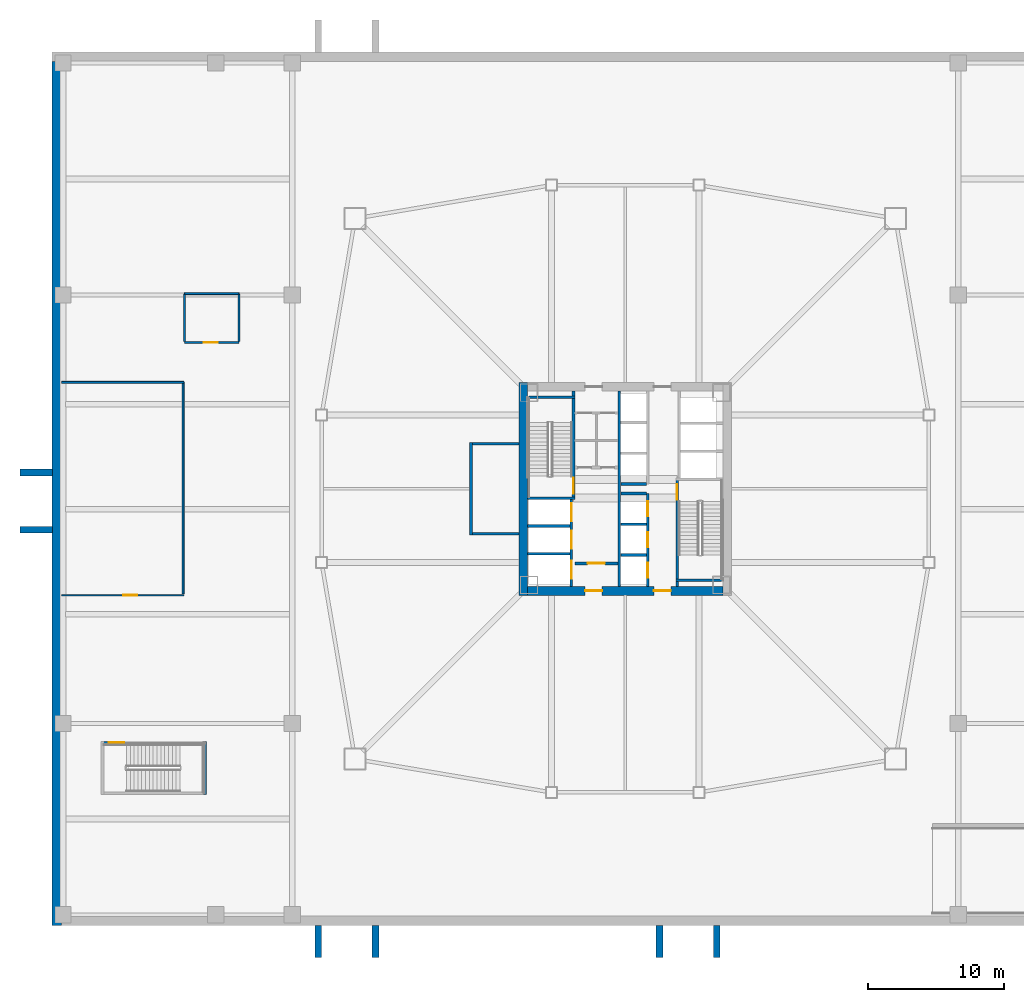
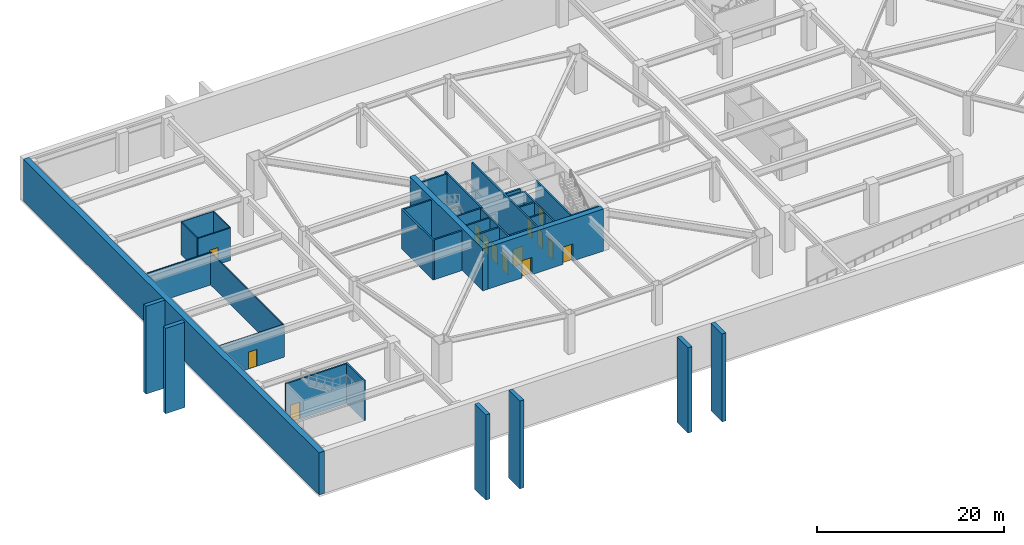
# One storey, part 7 of 17: 36 walls, 14 doors, 14 openings.
"""IFC4 building model written with IfcOpenShell, lengths in metres."""

from ifc_helpers import new_model, si_unit, direction, frame, frame_2d, origin, place, context, subcontext, project, spatial, rectangle, extrude, material, layer, layer_set, type_object, element, fill, save


model = new_model("IFC4")

# Units and contexts
model_context = context("Model", 3, precision=1e-05, world=origin(), true_north=direction((0.0, 1.0)))
body_context = subcontext(model_context, "Body", "Model", "MODEL_VIEW")
ifc_project = project(units=[si_unit("LENGTHUNIT", "METRE"), si_unit("AREAUNIT", "SQUARE_METRE"), si_unit("VOLUMEUNIT", "CUBIC_METRE"), si_unit("PLANEANGLEUNIT", "RADIAN"), si_unit("MASSUNIT", "GRAM", prefix="KILO")], contexts=[model_context])

# Site, building, storey
site_placement = place(None, origin())
site = spatial("IfcSite", under=ifc_project, at=site_placement, CompositionType="ELEMENT")
building_placement = place(site_placement, origin())
building = spatial("IfcBuilding", under=site, at=building_placement, Name="Tashvorn Skyway Center", CompositionType="ELEMENT")
storey_placement = place(building_placement, frame((0.0, 0.0, -5.5)))
storey = spatial("IfcBuildingStorey", under=building, at=storey_placement, Name="B1", CompositionType="ELEMENT", Elevation=-5.5)

# Wall
ifc_material_1 = material(Name="Concrete C60/75", Category="concrete")
ifc_layer_1 = layer(ifc_material_1, 0.64990234375)
ifc_layer_set_1 = layer_set([ifc_layer_1], Name="Concrete C60/75")
wall_type_1 = type_object("IfcWallType", Name="WALL-CORE-650", PredefinedType="SHEAR", material=ifc_layer_set_1)
wall_1_placement = place(storey_placement, frame((34.52490234375, 24.199951171875, 0.0), z_axis=(0.0, 0.0, 1.0), x_axis=(0.0, 1.0, 0.0)))
element("IfcWall", 1, at=wall_1_placement, inside=storey, type_object=wall_type_1, Name="Tower 1 B1 West Core Shear Wall", PredefinedType="SHEAR", context=body_context, shape_type="SweptSolid", body=[
    extrude(rectangle(XDim=15.60009765625, YDim=0.64990234375, at=frame_2d((7.800048828125, 0.0))), origin(), (0.0, 0.0, 1.0), 5.5),
])

# Wall, openings, doors
wall_2_placement = place(storey_placement, frame((49.14990234375, 24.52490234375, 0.0), z_axis=(0.0, 0.0, 1.0), x_axis=(-1.0, 0.0, 0.0)))
wall_2 = element("IfcWall", 2, at=wall_2_placement, inside=storey, type_object=wall_type_1, Name="Tower 1 B1 South Core Shear Wall", PredefinedType="SHEAR", context=body_context, shape_type="SweptSolid", body=[
    extrude(rectangle(XDim=14.2998046875, YDim=0.64990234375, at=frame_2d((7.14990234375, 0.0))), origin(), (0.0, 0.0, 1.0), 5.5),
])
opening_1_placement = place(wall_2_placement, frame((8.85009765625, 0.0, 0.0)))
opening_1 = element("IfcOpeningElement", 3, at=opening_1_placement, cuts=wall_2, Name="Opening D-FFL-1250", PredefinedType="OPENING", context=body_context, shape_type="SweptSolid", body=[
    extrude(rectangle(XDim=1.25, YDim=2.25, at=frame_2d((0.625, 1.125))), frame((0.0, 0.3349609375, 0.0), z_axis=(0.0, -1.0, 0.0), x_axis=(1.0, 0.0, 0.0)), (0.0, 0.0, 1.0), 0.669921875),
])
opening_2_placement = place(wall_2_placement, frame((3.800048828125, 0.0, 0.0)))
opening_2 = element("IfcOpeningElement", 4, at=opening_2_placement, cuts=wall_2, Name="Opening D-FFL-1250", PredefinedType="OPENING", context=body_context, shape_type="SweptSolid", body=[
    extrude(rectangle(XDim=1.25, YDim=2.25, at=frame_2d((0.625, 1.125))), frame((0.0, 0.3349609375, 0.0), z_axis=(0.0, -1.0, 0.0), x_axis=(1.0, 0.0, 0.0)), (0.0, 0.0, 1.0), 0.669921875),
])
ifc_material_2 = material(Name="Hollow galvanized steel fire door assembly", Category="steel")
door_type_1 = type_object("IfcDoorType", Name="DOOR-FFL-1250", OperationType="NOTDEFINED", PredefinedType="DOOR", material=ifc_material_2)
door_1_placement = place(opening_1_placement, origin())
door_1 = element("IfcDoor", 5, at=door_1_placement, inside=storey, type_object=door_type_1, Name="Tower 1 B1 Core South Firefighting Exit Door", OperationType="SINGLE_SWING_LEFT", OverallHeight=2.25, OverallWidth=1.25, PredefinedType="DOOR", context=body_context, shape_type="SweptSolid", body=[
    extrude(rectangle(XDim=1.25, YDim=2.25, at=frame_2d((0.625, 1.125))), frame((0.0, 0.02490234375, 0.0), z_axis=(0.0, -1.0, 0.0), x_axis=(1.0, 0.0, 0.0)), (0.0, 0.0, 1.0), 0.050048828125),
])
fill(opening_1, door_1)
door_2_placement = place(opening_2_placement, origin())
door_2 = element("IfcDoor", 6, at=door_2_placement, inside=storey, type_object=door_type_1, Name="Tower 1 B1 Core South Lift Lobby Door", OperationType="SINGLE_SWING_RIGHT", OverallHeight=2.25, OverallWidth=1.25, PredefinedType="DOOR", context=body_context, shape_type="SweptSolid", body=[
    extrude(rectangle(XDim=1.25, YDim=2.25, at=frame_2d((0.625, 1.125))), frame((0.0, 0.02490234375, 0.0), z_axis=(0.0, -1.0, 0.0), x_axis=(1.0, 0.0, 0.0)), (0.0, 0.0, 1.0), 0.050048828125),
])
fill(opening_2, door_2)

# Wall, opening, door
ifc_material_3 = material(Name="Concrete C40/50", Category="concrete")
ifc_layer_2 = layer(ifc_material_3, 0.219970703125)
ifc_layer_set_2 = layer_set([ifc_layer_2], Name="Concrete C40/50")
wall_type_2 = type_object("IfcWallType", Name="WALL-FFL-220", PredefinedType="SOLIDWALL", material=ifc_layer_set_2)
wall_3_placement = place(storey_placement, frame((38.300048828125, 26.5400390625, 0.0), z_axis=(0.0, 0.0, 1.0), x_axis=(1.0, 0.0, 0.0)))
wall_3 = element("IfcWall", 7, at=wall_3_placement, inside=storey, type_object=wall_type_2, Name="Tower 1 B1 Firefighting Lobby South Wall", PredefinedType="SOLIDWALL", context=body_context, shape_type="SweptSolid", body=[
    extrude(rectangle(XDim=3.14990234375, YDim=0.219970703125, at=frame_2d((1.574951171875, 0.0))), origin(), (0.0, 0.0, 1.0), 4.242919921875),
])
opening_3_placement = place(wall_3_placement, frame((0.949951171875, 0.0, 0.0)))
opening_3 = element("IfcOpeningElement", 8, at=opening_3_placement, cuts=wall_3, Name="Opening D-FFL-1250", PredefinedType="OPENING", context=body_context, shape_type="SweptSolid", body=[
    extrude(rectangle(XDim=1.25, YDim=2.25, at=frame_2d((0.625, 1.125))), frame((0.0, 0.119873046875, 0.0), z_axis=(0.0, -1.0, 0.0), x_axis=(1.0, 0.0, 0.0)), (0.0, 0.0, 1.0), 0.239990234375),
])
door_3_placement = place(opening_3_placement, origin())
door_3 = element("IfcDoor", 9, at=door_3_placement, inside=storey, type_object=door_type_1, Name="Tower 1 B1 Firefighting Lobby Egress Door", OperationType="SINGLE_SWING_LEFT", OverallHeight=2.25, OverallWidth=1.25, PredefinedType="DOOR", context=body_context, shape_type="SweptSolid", body=[
    extrude(rectangle(XDim=1.25, YDim=2.25, at=frame_2d((0.625, 1.125))), frame((0.0, 0.02490234375, 0.0), z_axis=(0.0, -1.0, 0.0), x_axis=(1.0, 0.0, 0.0)), (0.0, 0.0, 1.0), 0.050048828125),
])
fill(opening_3, door_3)

ifc_material_4 = material(Name="Gypsum board on cold-formed steel stud framing", Category="steel")
ifc_layer_3 = layer(ifc_material_4, 0.135009765625)
ifc_layer_set_3 = layer_set([ifc_layer_3], Name="Gypsum board on cold-formed steel stud framing")
wall_type_3 = type_object("IfcWallType", Name="WALL-PART-135", PredefinedType="PARTITIONING", material=ifc_layer_set_3)
wall_4_placement = place(storey_placement, frame((0.699951171875, 24.199951171875, 0.0), z_axis=(0.0, 0.0, 1.0), x_axis=(1.0, 0.0, 0.0)))
wall_4 = element("IfcWall", 10, at=wall_4_placement, inside=storey, type_object=wall_type_3, Name="B1 Bicycle Hub South Wall", PredefinedType="PARTITIONING", context=body_context, shape_type="SweptSolid", body=[
    extrude(rectangle(XDim=8.949951171875, YDim=0.135009765625, at=frame_2d((4.47509765625, 0.0))), origin(), (0.0, 0.0, 1.0), 4.242919921875),
])
opening_4_placement = place(wall_4_placement, frame((4.5, 0.0, 0.0)))
opening_4 = element("IfcOpeningElement", 11, at=opening_4_placement, cuts=wall_4, Name="Opening D-ACC-1050", PredefinedType="OPENING", context=body_context, shape_type="SweptSolid", body=[
    extrude(rectangle(XDim=1.050048828125, YDim=2.199951171875, at=frame_2d((0.52490234375, 1.10009765625))), frame((0.0, 0.077392578125, 0.0), z_axis=(0.0, -1.0, 0.0), x_axis=(1.0, 0.0, 0.0)), (0.0, 0.0, 1.0), 0.155029296875),
])
ifc_material_5 = material(Name="Solid-core architectural oak veneer door")
door_type_2 = type_object("IfcDoorType", Name="DOOR-ACC-1050", OperationType="NOTDEFINED", PredefinedType="DOOR", material=ifc_material_5)
door_4_placement = place(opening_4_placement, origin())
door_4 = element("IfcDoor", 12, at=door_4_placement, inside=storey, type_object=door_type_2, Name="B1 Bicycle Hub Door", OperationType="SINGLE_SWING_LEFT", OverallHeight=2.199951171875, OverallWidth=1.050048828125, PredefinedType="DOOR", context=body_context, shape_type="SweptSolid", body=[
    extrude(rectangle(XDim=1.050048828125, YDim=2.199951171875, at=frame_2d((0.52490234375, 1.10009765625))), frame((0.0, 0.02490234375, 0.0), z_axis=(0.0, -1.0, 0.0), x_axis=(1.0, 0.0, 0.0)), (0.0, 0.0, 1.0), 0.050048828125),
])
fill(opening_4, door_4)

# Walls
wall_5_placement = place(storey_placement, frame((9.60009765625, 24.300048828125, 0.0), z_axis=(0.0, 0.0, 1.0), x_axis=(0.0, 1.0, 0.0)))
element("IfcWall", 13, at=wall_5_placement, inside=storey, type_object=wall_type_3, Name="B1 Bicycle Hub East Wall", PredefinedType="PARTITIONING", context=body_context, shape_type="SweptSolid", body=[
    extrude(rectangle(XDim=15.5, YDim=0.135009765625, at=frame_2d((7.75, 0.0))), origin(), (0.0, 0.0, 1.0), 4.242919921875),
])
wall_6_placement = place(storey_placement, frame((0.699951171875, 39.800048828125, 0.0), z_axis=(0.0, 0.0, 1.0), x_axis=(1.0, 0.0, 0.0)))
element("IfcWall", 14, at=wall_6_placement, inside=storey, type_object=wall_type_3, Name="B1 Bicycle Hub North Wall", PredefinedType="PARTITIONING", context=body_context, shape_type="SweptSolid", body=[
    extrude(rectangle(XDim=8.949951171875, YDim=0.135009765625, at=frame_2d((4.47509765625, 0.0))), origin(), (0.0, 0.0, 1.0), 4.242919921875),
])

# Wall, opening, door
wall_7_placement = place(storey_placement, frame((9.699951171875, 42.719970703125, 0.0), z_axis=(0.0, 0.0, 1.0), x_axis=(1.0, 0.0, 0.0)))
wall_7 = element("IfcWall", 15, at=wall_7_placement, inside=storey, type_object=wall_type_3, Name="B1 Restroom South Wall", PredefinedType="PARTITIONING", context=body_context, shape_type="SweptSolid", body=[
    extrude(rectangle(XDim=4.0, YDim=0.135009765625, at=frame_2d((2.0, 0.0))), origin(), (0.0, 0.0, 1.0), 4.242919921875),
])
opening_5_placement = place(wall_7_placement, frame((1.39990234375, 0.0, 0.0)))
opening_5 = element("IfcOpeningElement", 16, at=opening_5_placement, cuts=wall_7, Name="Opening D-ACC-1050", PredefinedType="OPENING", context=body_context, shape_type="SweptSolid", body=[
    extrude(rectangle(XDim=1.050048828125, YDim=2.199951171875, at=frame_2d((0.52490234375, 1.10009765625))), frame((0.0, 0.077392578125, 0.0), z_axis=(0.0, -1.0, 0.0), x_axis=(1.0, 0.0, 0.0)), (0.0, 0.0, 1.0), 0.155029296875),
])
door_5_placement = place(opening_5_placement, origin())
door_5 = element("IfcDoor", 17, at=door_5_placement, inside=storey, type_object=door_type_2, Name="B1 Accessible Restroom Door", OperationType="SINGLE_SWING_RIGHT", OverallHeight=2.199951171875, OverallWidth=1.050048828125, PredefinedType="DOOR", context=body_context, shape_type="SweptSolid", body=[
    extrude(rectangle(XDim=1.050048828125, YDim=2.199951171875, at=frame_2d((0.52490234375, 1.10009765625))), frame((0.0, 0.02490234375, 0.0), z_axis=(0.0, -1.0, 0.0), x_axis=(1.0, 0.0, 0.0)), (0.0, 0.0, 1.0), 0.050048828125),
])
fill(opening_5, door_5)

# Walls
wall_8_placement = place(storey_placement, frame((9.699951171875, 46.300048828125, 0.0), z_axis=(0.0, 0.0, 1.0), x_axis=(1.0, 0.0, 0.0)))
element("IfcWall", 18, at=wall_8_placement, inside=storey, type_object=wall_type_3, Name="B1 Restroom North Wall", PredefinedType="PARTITIONING", context=body_context, shape_type="SweptSolid", body=[
    extrude(rectangle(XDim=4.0, YDim=0.135009765625, at=frame_2d((2.0, 0.0))), origin(), (0.0, 0.0, 1.0), 4.242919921875),
])
for number, where, z_axis, x_axis, name in (
    (19, (9.699951171875, 42.800048828125, 0.0), (0.0, 0.0, 1.0), (0.0, 1.0, 0.0), "B1 Restroom West Wall"),
    (20, (13.699951171875, 42.800048828125, 0.0), (0.0, 0.0, 1.0), (0.0, 1.0, 0.0), "B1 Restroom East Wall"),
):
    element("IfcWall", number, at=place(storey_placement, frame(where, z_axis=z_axis, x_axis=x_axis)), inside=storey, type_object=wall_type_3, Name=name, PredefinedType="PARTITIONING", context=body_context, shape_type="SweptSolid", body=[
        extrude(rectangle(XDim=3.449951171875, YDim=0.135009765625, at=frame_2d((1.72509765625, 0.0))), origin(), (0.0, 0.0, 1.0), 4.242919921875),
    ])
ifc_material_6 = material(Name="Concrete C50/60", Category="concrete")
ifc_layer_4 = layer(ifc_material_6, 0.5)
ifc_layer_set_4 = layer_set([ifc_layer_4], Name="Concrete C50/60")
wall_type_4 = type_object("IfcWallType", Name="WALL-RET-500", PredefinedType="SOLIDWALL", material=ifc_layer_set_4)
wall_9_placement = place(storey_placement, frame((19.5, -2.35009765625, -6.0), z_axis=(0.0, 0.0, 1.0), x_axis=(0.0, 1.0, 0.0)))
element("IfcWall", 21, at=wall_9_placement, inside=storey, type_object=wall_type_4, Name="Accessible Ramp S1 Concrete Abutment Wall 1", PredefinedType="SOLIDWALL", context=body_context, shape_type="SweptSolid", body=[
    extrude(rectangle(XDim=2.3701171875, YDim=0.5, at=frame_2d((1.18505859375, 0.0))), origin(), (0.0, 0.0, 1.0), 11.14990234375),
])
wall_10_placement = place(storey_placement, frame((23.699951171875, -2.35009765625, -6.0), z_axis=(0.0, 0.0, 1.0), x_axis=(0.0, 1.0, 0.0)))
element("IfcWall", 22, at=wall_10_placement, inside=storey, type_object=wall_type_4, Name="Accessible Ramp S1 Concrete Abutment Wall 2", PredefinedType="SOLIDWALL", context=body_context, shape_type="SweptSolid", body=[
    extrude(rectangle(XDim=2.3701171875, YDim=0.5, at=frame_2d((1.18505859375, 0.0))), origin(), (0.0, 0.0, 1.0), 11.47998046875),
])
wall_11_placement = place(storey_placement, frame((44.5, -2.35009765625, -6.0), z_axis=(0.0, 0.0, 1.0), x_axis=(0.0, 1.0, 0.0)))
element("IfcWall", 23, at=wall_11_placement, inside=storey, type_object=wall_type_4, Name="Accessible Ramp S2 Concrete Abutment Wall 1", PredefinedType="SOLIDWALL", context=body_context, shape_type="SweptSolid", body=[
    extrude(rectangle(XDim=2.3701171875, YDim=0.5, at=frame_2d((1.18505859375, 0.0))), origin(), (0.0, 0.0, 1.0), 11.14990234375),
])
wall_12_placement = place(storey_placement, frame((48.699951171875, -2.35009765625, -6.0), z_axis=(0.0, 0.0, 1.0), x_axis=(0.0, 1.0, 0.0)))
element("IfcWall", 24, at=wall_12_placement, inside=storey, type_object=wall_type_4, Name="Accessible Ramp S2 Concrete Abutment Wall 2", PredefinedType="SOLIDWALL", context=body_context, shape_type="SweptSolid", body=[
    extrude(rectangle(XDim=2.3701171875, YDim=0.5, at=frame_2d((1.18505859375, 0.0))), origin(), (0.0, 0.0, 1.0), 11.47998046875),
])
wall_13_placement = place(storey_placement, frame((-2.35009765625, 29.0, -6.0), z_axis=(0.0, 0.0, 1.0), x_axis=(1.0, 0.0, 0.0)))
element("IfcWall", 25, at=wall_13_placement, inside=storey, type_object=wall_type_4, Name="Accessible Ramp W1 Concrete Abutment Wall 1", PredefinedType="SOLIDWALL", context=body_context, shape_type="SweptSolid", body=[
    extrude(rectangle(XDim=2.3701171875, YDim=0.5, at=frame_2d((1.18505859375, 0.0))), origin(), (0.0, 0.0, 1.0), 11.14990234375),
])
wall_14_placement = place(storey_placement, frame((-2.35009765625, 33.199951171875, -6.0), z_axis=(0.0, 0.0, 1.0), x_axis=(1.0, 0.0, 0.0)))
element("IfcWall", 26, at=wall_14_placement, inside=storey, type_object=wall_type_4, Name="Accessible Ramp W1 Concrete Abutment Wall 2", PredefinedType="SOLIDWALL", context=body_context, shape_type="SweptSolid", body=[
    extrude(rectangle(XDim=2.3701171875, YDim=0.5, at=frame_2d((1.18505859375, 0.0))), origin(), (0.0, 0.0, 1.0), 11.47998046875),
])
ifc_layer_5 = layer(ifc_material_1, 0.699951171875)
ifc_layer_set_5 = layer_set([ifc_layer_5], Name="Concrete C60/75")
wall_type_5 = type_object("IfcWallType", Name="WALL-RET-700", PredefinedType="SOLIDWALL", material=ifc_layer_set_5)
wall_15_placement = place(storey_placement, frame((0.35009765625, 0.0, 0.0), z_axis=(0.0, 0.0, 1.0), x_axis=(0.0, 1.0, 0.0)))
element("IfcWall", 27, at=wall_15_placement, inside=storey, type_object=wall_type_5, Name="B1 Basement Retaining Wall W", PredefinedType="SOLIDWALL", context=body_context, shape_type="SweptSolid", body=[
    extrude(rectangle(XDim=63.300048828125, YDim=0.699951171875, at=frame_2d((31.64990234375, 0.0))), origin(), (0.0, 0.0, 1.0), 5.5),
])
ifc_layer_6 = layer(ifc_material_3, 0.199951171875)
ifc_layer_set_6 = layer_set([ifc_layer_6], Name="Concrete C40/50")
wall_type_6 = type_object("IfcWallType", Name="WALL-SHAFT-200", PredefinedType="SOLIDWALL", material=ifc_layer_set_6)
for number, where, z_axis, x_axis, name in (
    (28, (34.85009765625, 27.25, 0.0), (0.0, 0.0, 1.0), (1.0, 0.0, 0.0), "Tower 1 B1 FSAE Shaft Divider"),
    (29, (34.85009765625, 29.280029296875, 0.0), (0.0, 0.0, 1.0), (1.0, 0.0, 0.0), "Tower 1 B1 FSAE Shaft Divider"),
):
    element("IfcWall", number, at=place(storey_placement, frame(where, z_axis=z_axis, x_axis=x_axis)), inside=storey, type_object=wall_type_6, Name=name, PredefinedType="SOLIDWALL", context=body_context, shape_type="SweptSolid", body=[
        extrude(rectangle(XDim=3.099853515625, YDim=0.199951171875, at=frame_2d((1.5498046875, 0.0))), origin(), (0.0, 0.0, 1.0), 5.199951171875),
    ])

# Wall, openings, doors
wall_16_placement = place(storey_placement, frame((43.64990234375, 24.85009765625, 0.0), z_axis=(0.0, 0.0, 1.0), x_axis=(0.0, 1.0, 0.0)))
wall_16 = element("IfcWall", 30, at=wall_16_placement, inside=storey, type_object=wall_type_6, Name="Tower 1 B1 Low-Rise Core Wall", PredefinedType="SOLIDWALL", context=body_context, shape_type="SweptSolid", body=[
    extrude(rectangle(XDim=6.7998046875, YDim=0.199951171875, at=frame_2d((3.39990234375, 0.0))), origin(), (0.0, 0.0, 1.0), 5.199951171875),
])
opening_6_placement = place(wall_16_placement, frame((0.625, 0.0, 0.0)))
opening_6 = element("IfcOpeningElement", 31, at=opening_6_placement, cuts=wall_16, Name="Opening LD-LR-T1-1-B1", PredefinedType="OPENING", context=body_context, shape_type="SweptSolid", body=[
    extrude(rectangle(XDim=1.10009765625, YDim=2.199951171875, at=frame_2d((0.550048828125, 1.10009765625))), frame((0.0, 0.10986328125, 0.0), z_axis=(0.0, -1.0, 0.0), x_axis=(1.0, 0.0, 0.0)), (0.0, 0.0, 1.0), 0.219970703125),
])
opening_7_placement = place(wall_16_placement, frame((2.875, 0.0, 0.0)))
opening_7 = element("IfcOpeningElement", 32, at=opening_7_placement, cuts=wall_16, Name="Opening LD-LR-T1-2-B1", PredefinedType="OPENING", context=body_context, shape_type="SweptSolid", body=[
    extrude(rectangle(XDim=1.10009765625, YDim=2.199951171875, at=frame_2d((0.550048828125, 1.10009765625))), frame((0.0, 0.10986328125, 0.0), z_axis=(0.0, -1.0, 0.0), x_axis=(1.0, 0.0, 0.0)), (0.0, 0.0, 1.0), 0.219970703125),
])
opening_8_placement = place(wall_16_placement, frame((5.125, 0.0, 0.0)))
opening_8 = element("IfcOpeningElement", 33, at=opening_8_placement, cuts=wall_16, Name="Opening LD-LR-T1-3-B1", PredefinedType="OPENING", context=body_context, shape_type="SweptSolid", body=[
    extrude(rectangle(XDim=1.10009765625, YDim=2.199951171875, at=frame_2d((0.550048828125, 1.10009765625))), frame((0.0, 0.10986328125, 0.0), z_axis=(0.0, -1.0, 0.0), x_axis=(1.0, 0.0, 0.0)), (0.0, 0.0, 1.0), 0.219970703125),
])
ifc_material_7 = material(Name="Stainless steel landing door", Category="steel")
door_type_3 = type_object("IfcDoorType", Name="DOOR-LIFT-1100", OperationType="SLIDING_TO_LEFT", PredefinedType="DOOR", material=ifc_material_7)
door_6_placement = place(opening_6_placement, origin())
door_6 = element("IfcDoor", 34, at=door_6_placement, inside=storey, type_object=door_type_3, Name="Lift LR-T1-1 B1 Landing Door", OperationType="SLIDING_TO_LEFT", OverallHeight=2.199951171875, OverallWidth=1.10009765625, PredefinedType="DOOR", context=body_context, shape_type="SweptSolid", body=[
    extrude(rectangle(XDim=1.10009765625, YDim=2.199951171875, at=frame_2d((0.550048828125, 1.10009765625))), frame((0.0, 0.02490234375, 0.0), z_axis=(0.0, -1.0, 0.0), x_axis=(1.0, 0.0, 0.0)), (0.0, 0.0, 1.0), 0.050048828125),
])
fill(opening_6, door_6)
door_7_placement = place(opening_7_placement, origin())
door_7 = element("IfcDoor", 35, at=door_7_placement, inside=storey, type_object=door_type_3, Name="Lift LR-T1-2 B1 Landing Door", OperationType="SLIDING_TO_LEFT", OverallHeight=2.199951171875, OverallWidth=1.10009765625, PredefinedType="DOOR", context=body_context, shape_type="SweptSolid", body=[
    extrude(rectangle(XDim=1.10009765625, YDim=2.199951171875, at=frame_2d((0.550048828125, 1.10009765625))), frame((0.0, 0.02490234375, 0.0), z_axis=(0.0, -1.0, 0.0), x_axis=(1.0, 0.0, 0.0)), (0.0, 0.0, 1.0), 0.050048828125),
])
fill(opening_7, door_7)
door_8_placement = place(opening_8_placement, origin())
door_8 = element("IfcDoor", 36, at=door_8_placement, inside=storey, type_object=door_type_3, Name="Lift LR-T1-3 B1 Landing Door", OperationType="SLIDING_TO_LEFT", OverallHeight=2.199951171875, OverallWidth=1.10009765625, PredefinedType="DOOR", context=body_context, shape_type="SweptSolid", body=[
    extrude(rectangle(XDim=1.10009765625, YDim=2.199951171875, at=frame_2d((0.550048828125, 1.10009765625))), frame((0.0, 0.02490234375, 0.0), z_axis=(0.0, -1.0, 0.0), x_axis=(1.0, 0.0, 0.0)), (0.0, 0.0, 1.0), 0.050048828125),
])
fill(opening_8, door_8)

# Walls
for number, where, z_axis, x_axis, name in (
    (37, (41.669921875, 27.14990234375, 0.0), (0.0, 0.0, 1.0), (1.0, 0.0, 0.0), "Tower 1 B1 Low-Rise Shaft Divider"),
    (38, (41.669921875, 29.39990234375, 0.0), (0.0, 0.0, 1.0), (1.0, 0.0, 0.0), "Tower 1 B1 Low-Rise Shaft Divider"),
    (39, (41.669921875, 31.64990234375, 0.0), (0.0, 0.0, 1.0), (1.0, 0.0, 0.0), "Tower 1 B1 Low-Rise Shaft Divider"),
    (40, (41.669921875, 32.35009765625, 0.0), (0.0, 0.0, 1.0), (1.0, 0.0, 0.0), "Tower 1 B1 Mid-Rise Shaft Divider"),
):
    element("IfcWall", number, at=place(storey_placement, frame(where, z_axis=z_axis, x_axis=x_axis)), inside=storey, type_object=wall_type_6, Name=name, PredefinedType="SOLIDWALL", context=body_context, shape_type="SweptSolid", body=[
        extrude(rectangle(XDim=1.880126953125, YDim=0.199951171875, at=frame_2d((0.93994140625, 0.0))), origin(), (0.0, 0.0, 1.0), 5.199951171875),
    ])

# Wall, opening, door
ifc_layer_7 = layer(ifc_material_3, 0.199951171875)
ifc_layer_set_7 = layer_set([ifc_layer_7], Name="Concrete C40/50")
wall_type_7 = type_object("IfcWallType", Name="WALL-STSHF-200", PredefinedType="SHEAR", material=ifc_layer_set_7)
wall_17_placement = place(storey_placement, frame((38.199951171875, 31.199951171875, 0.0), z_axis=(0.0, 0.0, 1.0), x_axis=(0.0, 1.0, 0.0)))
wall_17 = element("IfcWall", 41, at=wall_17_placement, inside=storey, type_object=wall_type_7, Name="Tower 1 B1 Stair 1 Enclosure Wall", PredefinedType="SHEAR", context=body_context, shape_type="SweptSolid", body=[
    extrude(rectangle(XDim=7.949951171875, YDim=0.199951171875, at=frame_2d((3.97509765625, 0.0))), origin(), (0.0, 0.0, 1.0), 5.199951171875),
])
opening_9_placement = place(wall_17_placement, frame((0.449951171875, 0.0, 0.0)))
opening_9 = element("IfcOpeningElement", 42, at=opening_9_placement, cuts=wall_17, Name="Opening D-ST-1150", PredefinedType="OPENING", context=body_context, shape_type="SweptSolid", body=[
    extrude(rectangle(XDim=1.14990234375, YDim=2.199951171875, at=frame_2d((0.574951171875, 1.10009765625))), frame((0.0, 0.10986328125, 0.0), z_axis=(0.0, -1.0, 0.0), x_axis=(1.0, 0.0, 0.0)), (0.0, 0.0, 1.0), 0.219970703125),
])
door_type_4 = type_object("IfcDoorType", Name="DOOR-STAIR-1150", OperationType="NOTDEFINED", PredefinedType="DOOR", material=ifc_material_2)
door_9_placement = place(opening_9_placement, origin())
door_9 = element("IfcDoor", 43, at=door_9_placement, inside=storey, type_object=door_type_4, Name="Tower 1 B1 Exit Stair 1 Door", OperationType="SINGLE_SWING_RIGHT", OverallHeight=2.199951171875, OverallWidth=1.14990234375, PredefinedType="DOOR", context=body_context, shape_type="SweptSolid", body=[
    extrude(rectangle(XDim=1.14990234375, YDim=2.199951171875, at=frame_2d((0.574951171875, 1.10009765625))), frame((0.0, 0.02490234375, 0.0), z_axis=(0.0, -1.0, 0.0), x_axis=(1.0, 0.0, 0.0)), (0.0, 0.0, 1.0), 0.050048828125),
])
fill(opening_9, door_9)

# Walls
for number, where, z_axis, x_axis, name in (
    (44, (34.85009765625, 31.300048828125, 0.0), (0.0, 0.0, 1.0), (1.0, 0.0, 0.0), "Tower 1 B1 Stair 1 South Wall"),
    (45, (34.85009765625, 38.699951171875, 0.0), (0.0, 0.0, 1.0), (1.0, 0.0, 0.0), "Tower 1 B1 Stair 1 North Wall"),
):
    element("IfcWall", number, at=place(storey_placement, frame(where, z_axis=z_axis, x_axis=x_axis)), inside=storey, type_object=wall_type_7, Name=name, PredefinedType="SHEAR", context=body_context, shape_type="SweptSolid", body=[
        extrude(rectangle(XDim=3.449951171875, YDim=0.199951171875, at=frame_2d((1.72509765625, 0.0))), origin(), (0.0, 0.0, 1.0), 5.199951171875),
    ])

# Wall, opening, door
wall_18_placement = place(storey_placement, frame((45.800048828125, 32.800048828125, 0.0), z_axis=(0.0, 0.0, 1.0), x_axis=(0.0, -1.0, 0.0)))
wall_18 = element("IfcWall", 46, at=wall_18_placement, inside=storey, type_object=wall_type_7, Name="Tower 1 B1 Stair 2 Enclosure Wall", PredefinedType="SHEAR", context=body_context, shape_type="SweptSolid", body=[
    extrude(rectangle(XDim=7.949951171875, YDim=0.199951171875, at=frame_2d((3.97509765625, 0.0))), origin(), (0.0, 0.0, 1.0), 5.199951171875),
])
opening_10_placement = place(wall_18_placement, frame((0.449951171875, 0.0, 0.0)))
opening_10 = element("IfcOpeningElement", 47, at=opening_10_placement, cuts=wall_18, Name="Opening D-ST-1150", PredefinedType="OPENING", context=body_context, shape_type="SweptSolid", body=[
    extrude(rectangle(XDim=1.14990234375, YDim=2.199951171875, at=frame_2d((0.574951171875, 1.10009765625))), frame((0.0, 0.10986328125, 0.0), z_axis=(0.0, -1.0, 0.0), x_axis=(1.0, 0.0, 0.0)), (0.0, 0.0, 1.0), 0.219970703125),
])
door_10_placement = place(opening_10_placement, origin())
door_10 = element("IfcDoor", 48, at=door_10_placement, inside=storey, type_object=door_type_4, Name="Tower 1 B1 Exit Stair 2 Door", OperationType="SINGLE_SWING_RIGHT", OverallHeight=2.199951171875, OverallWidth=1.14990234375, PredefinedType="DOOR", context=body_context, shape_type="SweptSolid", body=[
    extrude(rectangle(XDim=1.14990234375, YDim=2.199951171875, at=frame_2d((0.574951171875, 1.10009765625))), frame((0.0, 0.02490234375, 0.0), z_axis=(0.0, -1.0, 0.0), x_axis=(1.0, 0.0, 0.0)), (0.0, 0.0, 1.0), 0.050048828125),
])
fill(opening_10, door_10)

# Walls
wall_19_placement = place(storey_placement, frame((45.699951171875, 25.300048828125, 0.0), z_axis=(0.0, 0.0, 1.0), x_axis=(1.0, 0.0, 0.0)))
element("IfcWall", 49, at=wall_19_placement, inside=storey, type_object=wall_type_7, Name="Tower 1 B1 Stair 2 South Wall", PredefinedType="SHEAR", context=body_context, shape_type="SweptSolid", body=[
    extrude(rectangle(XDim=3.449951171875, YDim=0.199951171875, at=frame_2d((1.72509765625, 0.0))), origin(), (0.0, 0.0, 1.0), 5.199951171875),
])
wall_20_placement = place(storey_placement, frame((41.56005859375, 24.85009765625, 0.0), z_axis=(0.0, 0.0, 1.0), x_axis=(0.0, 1.0, 0.0)))
element("IfcWall", 50, at=wall_20_placement, inside=storey, type_object=wall_type_7, Name="Tower 1 B1 Firefighting Lobby East Smoke Barrier", PredefinedType="SHEAR", context=body_context, shape_type="SweptSolid", body=[
    extrude(rectangle(XDim=14.2998046875, YDim=0.199951171875, at=frame_2d((7.14990234375, 0.0))), origin(), (0.0, 0.0, 1.0), 5.199951171875),
])

# Wall, openings, doors
wall_21_placement = place(storey_placement, frame((38.050048828125, 24.85009765625, 0.0), z_axis=(0.0, 0.0, 1.0), x_axis=(0.0, 1.0, 0.0)))
wall_21 = element("IfcWall", 51, at=wall_21_placement, inside=storey, type_object=wall_type_7, Name="Tower 1 B1 FSAE and Goods Shaft Front Wall", PredefinedType="SHEAR", context=body_context, shape_type="SweptSolid", body=[
    extrude(rectangle(XDim=6.349853515625, YDim=0.199951171875, at=frame_2d((3.1748046875, 0.0))), origin(), (0.0, 0.0, 1.0), 5.199951171875),
])
opening_11_placement = place(wall_21_placement, frame((4.77490234375, 0.0, 0.0)))
opening_11 = element("IfcOpeningElement", 52, at=opening_11_placement, cuts=wall_21, Name="Opening LD-FF-T1-1-B1", PredefinedType="OPENING", context=body_context, shape_type="SweptSolid", body=[
    extrude(rectangle(XDim=1.300048828125, YDim=2.25, at=frame_2d((0.64990234375, 1.125))), frame((0.0, 0.10986328125, 0.0), z_axis=(0.0, -1.0, 0.0), x_axis=(1.0, 0.0, 0.0)), (0.0, 0.0, 1.0), 0.219970703125),
])
opening_12_placement = place(wall_21_placement, frame((2.77490234375, 0.0, 0.0)))
opening_12 = element("IfcOpeningElement", 53, at=opening_12_placement, cuts=wall_21, Name="Opening LD-FF-T1-2-B1", PredefinedType="OPENING", context=body_context, shape_type="SweptSolid", body=[
    extrude(rectangle(XDim=1.300048828125, YDim=2.25, at=frame_2d((0.64990234375, 1.125))), frame((0.0, 0.10986328125, 0.0), z_axis=(0.0, -1.0, 0.0), x_axis=(1.0, 0.0, 0.0)), (0.0, 0.0, 1.0), 0.219970703125),
])
opening_13_placement = place(wall_21_placement, frame((0.574951171875, 0.0, 0.0)))
opening_13 = element("IfcOpeningElement", 54, at=opening_13_placement, cuts=wall_21, Name="Opening LD-GD-T1-1-B1", PredefinedType="OPENING", context=body_context, shape_type="SweptSolid", body=[
    extrude(rectangle(XDim=1.300048828125, YDim=2.25, at=frame_2d((0.64990234375, 1.125))), frame((0.0, 0.10986328125, 0.0), z_axis=(0.0, -1.0, 0.0), x_axis=(1.0, 0.0, 0.0)), (0.0, 0.0, 1.0), 0.219970703125),
])
ifc_material_8 = material(Name="Stainless steel heavy-duty landing door", Category="steel")
door_type_5 = type_object("IfcDoorType", Name="DOOR-LIFT-1300", OperationType="SLIDING_TO_LEFT", PredefinedType="DOOR", material=ifc_material_8)
door_11_placement = place(opening_11_placement, origin())
door_11 = element("IfcDoor", 55, at=door_11_placement, inside=storey, type_object=door_type_5, Name="Lift FF-T1-1 B1 Landing Door", OperationType="SLIDING_TO_LEFT", OverallHeight=2.25, OverallWidth=1.300048828125, PredefinedType="DOOR", context=body_context, shape_type="SweptSolid", body=[
    extrude(rectangle(XDim=1.300048828125, YDim=2.25, at=frame_2d((0.64990234375, 1.125))), frame((0.0, 0.02490234375, 0.0), z_axis=(0.0, -1.0, 0.0), x_axis=(1.0, 0.0, 0.0)), (0.0, 0.0, 1.0), 0.050048828125),
])
fill(opening_11, door_11)
door_12_placement = place(opening_12_placement, origin())
door_12 = element("IfcDoor", 56, at=door_12_placement, inside=storey, type_object=door_type_5, Name="Lift FF-T1-2 B1 Landing Door", OperationType="SLIDING_TO_LEFT", OverallHeight=2.25, OverallWidth=1.300048828125, PredefinedType="DOOR", context=body_context, shape_type="SweptSolid", body=[
    extrude(rectangle(XDim=1.300048828125, YDim=2.25, at=frame_2d((0.64990234375, 1.125))), frame((0.0, 0.02490234375, 0.0), z_axis=(0.0, -1.0, 0.0), x_axis=(1.0, 0.0, 0.0)), (0.0, 0.0, 1.0), 0.050048828125),
])
fill(opening_12, door_12)
door_13_placement = place(opening_13_placement, origin())
door_13 = element("IfcDoor", 57, at=door_13_placement, inside=storey, type_object=door_type_5, Name="Lift GD-T1-1 B1 Landing Door", OperationType="SLIDING_TO_LEFT", OverallHeight=2.25, OverallWidth=1.300048828125, PredefinedType="DOOR", context=body_context, shape_type="SweptSolid", body=[
    extrude(rectangle(XDim=1.300048828125, YDim=2.25, at=frame_2d((0.64990234375, 1.125))), frame((0.0, 0.02490234375, 0.0), z_axis=(0.0, -1.0, 0.0), x_axis=(1.0, 0.0, 0.0)), (0.0, 0.0, 1.0), 0.050048828125),
])
fill(opening_13, door_13)

# Walls
wall_22_placement = place(storey_placement, frame((30.699951171875, 28.60009765625, 0.0), z_axis=(0.0, 0.0, 1.0), x_axis=(0.0, 1.0, 0.0)))
element("IfcWall", 58, at=wall_22_placement, inside=storey, type_object=wall_type_7, Name="Tower 1 B1 Stair 3 Support Outer Wall", PredefinedType="SHEAR", context=body_context, shape_type="SweptSolid", body=[
    extrude(rectangle(XDim=6.7998046875, YDim=0.199951171875, at=frame_2d((3.39990234375, 0.0))), origin(), (0.0, 0.0, 1.0), 5.199951171875),
])
for number, where, z_axis, x_axis, name in (
    (59, (30.800048828125, 35.300048828125, 0.0), (0.0, 0.0, 1.0), (1.0, 0.0, 0.0), "Tower 1 B1 Stair 3 Support Enclosure Wall"),
    (60, (30.800048828125, 28.699951171875, 0.0), (0.0, 0.0, 1.0), (1.0, 0.0, 0.0), "Tower 1 B1 Stair 3 Support South Wall"),
):
    element("IfcWall", number, at=place(storey_placement, frame(where, z_axis=z_axis, x_axis=x_axis)), inside=storey, type_object=wall_type_7, Name=name, PredefinedType="SHEAR", context=body_context, shape_type="SweptSolid", body=[
        extrude(rectangle(XDim=3.39990234375, YDim=0.199951171875, at=frame_2d((1.699951171875, 0.0))), origin(), (0.0, 0.0, 1.0), 5.199951171875),
    ])

# Wall, opening, door
wall_23_placement = place(storey_placement, frame((11.300048828125, 13.39990234375, 0.0), z_axis=(0.0, 0.0, 1.0), x_axis=(-1.0, 0.0, 0.0)))
wall_23 = element("IfcWall", 61, at=wall_23_placement, inside=storey, type_object=wall_type_7, Name="B1 Podium Stair 1 North Wall", PredefinedType="SHEAR", context=body_context, shape_type="SweptSolid", body=[
    extrude(rectangle(XDim=7.699951171875, YDim=0.199951171875, at=frame_2d((3.85009765625, 0.0))), origin(), (0.0, 0.0, 1.0), 5.199951171875),
])
opening_14_placement = place(wall_23_placement, frame((6.0, 0.0, 0.0)))
opening_14 = element("IfcOpeningElement", 62, at=opening_14_placement, cuts=wall_23, Name="Opening D-ST-1150", PredefinedType="OPENING", context=body_context, shape_type="SweptSolid", body=[
    extrude(rectangle(XDim=1.14990234375, YDim=2.199951171875, at=frame_2d((0.574951171875, 1.10009765625))), frame((0.0, 0.10986328125, 0.0), z_axis=(0.0, -1.0, 0.0), x_axis=(1.0, 0.0, 0.0)), (0.0, 0.0, 1.0), 0.219970703125),
])
door_14_placement = place(opening_14_placement, origin())
door_14 = element("IfcDoor", 63, at=door_14_placement, inside=storey, type_object=door_type_4, Name="B1 Podium Stair 1 Door", OperationType="SINGLE_SWING_LEFT", OverallHeight=2.199951171875, OverallWidth=1.14990234375, PredefinedType="DOOR", context=body_context, shape_type="SweptSolid", body=[
    extrude(rectangle(XDim=1.14990234375, YDim=2.199951171875, at=frame_2d((0.574951171875, 1.10009765625))), frame((0.0, 0.02490234375, 0.0), z_axis=(0.0, -1.0, 0.0), x_axis=(1.0, 0.0, 0.0)), (0.0, 0.0, 1.0), 0.050048828125),
])
fill(opening_14, door_14)

# Wall
wall_24_placement = place(storey_placement, frame((11.199951171875, 9.60009765625, 0.0), z_axis=(0.0, 0.0, 1.0), x_axis=(0.0, 1.0, 0.0)))
element("IfcWall", 64, at=wall_24_placement, inside=storey, type_object=wall_type_7, Name="B1 Podium Stair 1 East Wall", PredefinedType="SHEAR", context=body_context, shape_type="SweptSolid", body=[
    extrude(rectangle(XDim=3.89990234375, YDim=0.199951171875, at=frame_2d((1.949951171875, 0.0))), origin(), (0.0, 0.0, 1.0), 5.199951171875),
])

save(model, "model.ifc")
